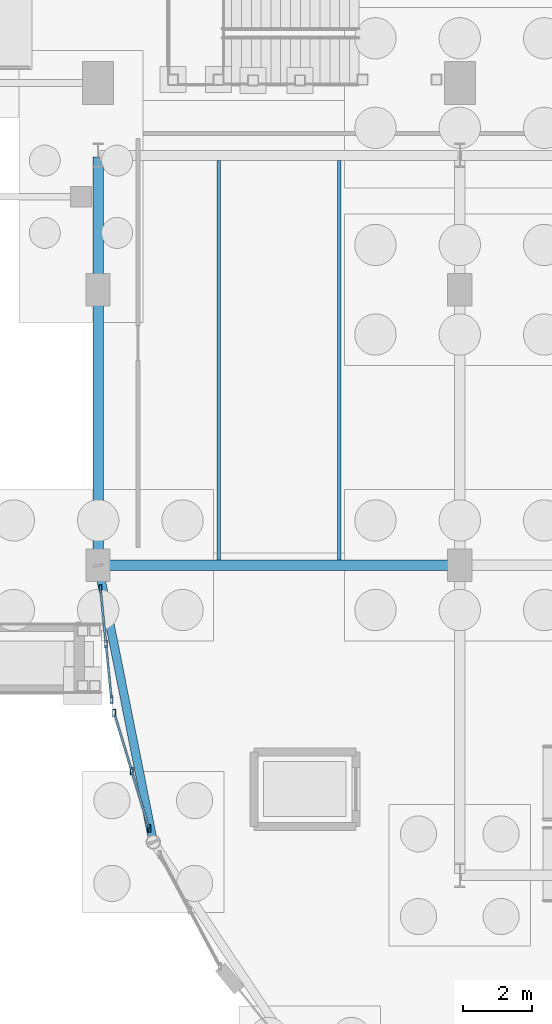
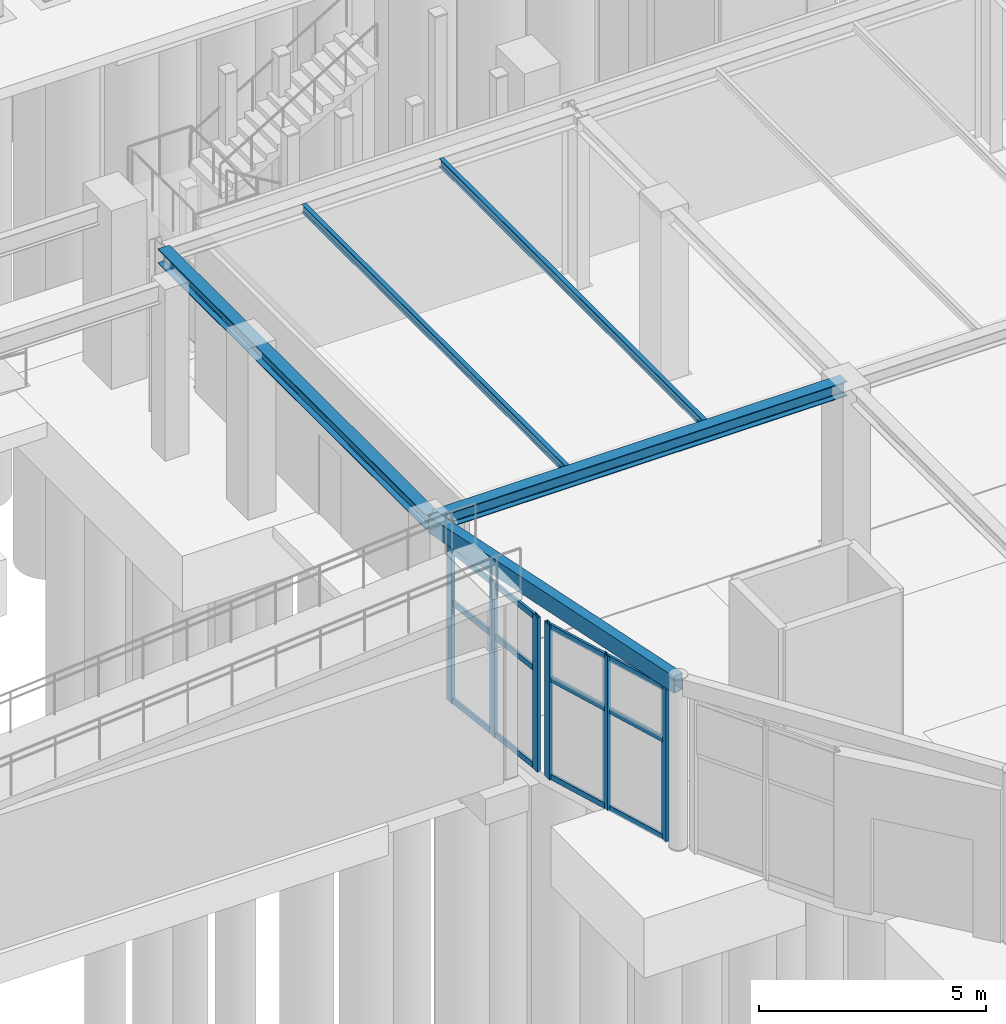
# One storey, part 65 of 160: 18 members, 5 beams, 2 elements without a shape of their own.
"""IFC4 building model written with IfcOpenShell, lengths in metres."""

from ifc_helpers import new_model, si_unit, direction, frame, origin, origin_2d, place, context, subcontext, project, spatial, hollow_rectangle, i_section, extrude, material, layer, layer_set, material_profile, profile_set, type_object, element, aggregate, save


model = new_model("IFC4")

# Units and contexts
model_context = context("Model", 3, precision=1e-05, world=origin(), true_north=direction((0.0, 1.0)))
body_context = subcontext(model_context, "Body", "Model", "MODEL_VIEW")
ifc_project = project(units=[si_unit("LENGTHUNIT", "METRE"), si_unit("AREAUNIT", "SQUARE_METRE"), si_unit("VOLUMEUNIT", "CUBIC_METRE"), si_unit("PLANEANGLEUNIT", "RADIAN"), si_unit("MASSUNIT", "GRAM", prefix="KILO")], contexts=[model_context])

# Site, building, storey
site_placement = place(None, origin())
site = spatial("IfcSite", under=ifc_project, at=site_placement, CompositionType="ELEMENT")
building_placement = place(site_placement, origin())
building = spatial("IfcBuilding", under=site, at=building_placement, Name="Marlcrest Central Station", CompositionType="ELEMENT")
storey_placement = place(building_placement, origin())
storey = spatial("IfcBuildingStorey", under=building, at=storey_placement, Name="L00", CompositionType="ELEMENT", Elevation=0.0)

# Beams
ifc_material_1 = material(Name="Steel S355", Category="steel")
ifc_material_profile_1 = material_profile(ifc_material_1, i_section(OverallWidth=0.300048828125, OverallDepth=0.389892578125, WebThickness=0.010986328125, FlangeThickness=0.01904296875, FilletRadius=0.027099609375, at=origin_2d()), Name="HEA 400")
ifc_profile_set_1 = profile_set([ifc_material_profile_1], Name="Steel S355")
beam_type_1 = type_object("IfcBeamType", Name="BM-08", PredefinedType="BEAM", material=ifc_profile_set_1)
beam_1_placement = place(storey_placement, frame((87.050048828125, 22.5, 4.409912109375), z_axis=(1.0, 0.0, 0.0), x_axis=(0.0, 1.0, 0.0)))
element("IfcBeam", 1, at=beam_1_placement, inside=storey, type_object=beam_type_1, Name="bm-BM-08-L00-01333", PredefinedType="BEAM", context=body_context, shape_type="SweptSolid", body=[
    extrude(i_section(OverallWidth=0.300048828125, OverallDepth=0.389892578125, WebThickness=0.010986328125, FlangeThickness=0.01904296875, FilletRadius=0.027099609375, at=origin_2d()), origin(), (0.0, 0.0, 1.0), 10.39990234375),
])
beam_2_placement = place(storey_placement, frame((87.0, 22.550048828125, 4.409912109375), z_axis=(0.0, 1.0, 0.0), x_axis=(-1.0, 0.0, 0.0)))
element("IfcBeam", 2, at=beam_2_placement, inside=storey, type_object=beam_type_1, Name="bm-BM-08-L00-01344", PredefinedType="BEAM", context=body_context, shape_type="SweptSolid", body=[
    extrude(i_section(OverallWidth=0.300048828125, OverallDepth=0.389892578125, WebThickness=0.010986328125, FlangeThickness=0.01904296875, FilletRadius=0.027099609375, at=origin_2d()), origin(), (0.0, 0.0, 1.0), 11.800048828125),
])
ifc_material_profile_2 = material_profile(ifc_material_1, i_section(OverallWidth=0.110107421875, OverallDepth=0.219970703125, WebThickness=0.005859375, FlangeThickness=0.00927734375, FilletRadius=0.011962890625, at=origin_2d()), Name="IPE 220")
ifc_profile_set_2 = profile_set([ifc_material_profile_2], Name="Steel S355")
beam_type_2 = type_object("IfcBeamType", Name="JS-02", PredefinedType="JOIST", material=ifc_profile_set_2)
for number, where, z_axis, x_axis, name in (
    (3, (90.5, 22.64794921875, 4.4951171875), (0.0, 1.0, 0.0), (-1.0, 0.0, 0.0), "bm-JS-02-L00-01349"),
    (4, (94.0, 22.64794921875, 4.4951171875), (0.0, 1.0, 0.0), (-1.0, 0.0, 0.0), "bm-JS-02-L00-01350"),
):
    element("IfcBeam", number, at=place(storey_placement, frame(where, z_axis=z_axis, x_axis=x_axis)), inside=storey, type_object=beam_type_2, Name=name, PredefinedType="JOIST", context=body_context, shape_type="SweptSolid", body=[
        extrude(i_section(OverallWidth=0.110107421875, OverallDepth=0.219970703125, WebThickness=0.005859375, FlangeThickness=0.00927734375, FilletRadius=0.011962890625, at=origin_2d()), origin(), (0.0, 0.0, 1.0), 11.60400390625),
    ])

# Curtain wall, members
ifc_material_2 = material(Name="Anodised aluminium and hurricane laminated glass", Category="aluminium")
ifc_layer = layer(ifc_material_2, 0.219970703125, Name="CW-U1")
ifc_layer_set = layer_set([ifc_layer], Name="Anodised aluminium and hurricane laminated glass")
curtain_wall_type = type_object("IfcCurtainWallType", Name="CW-U1", PredefinedType="USERDEFINED", material=ifc_layer_set)
curtain_wall_1_placement = place(storey_placement, origin())
curtain_wall_1 = element("IfcCurtainWall", 5, at=curtain_wall_1_placement, inside=storey, type_object=curtain_wall_type, Name="cw-L00-0001", ObjectType="UNITISED_CURTAIN_WALL", PredefinedType="USERDEFINED")
ifc_material_3 = material(Name="Anodised aluminium 6063-T6", Category="aluminium")
ifc_material_profile_3 = material_profile(ifc_material_3, hollow_rectangle(XDim=0.080078125, YDim=0.219970703125, WallThickness=0.006103515625, at=origin_2d()), Name="AA-RHS 220x80x6")
ifc_profile_set_3 = profile_set([ifc_material_profile_3], Name="Anodised aluminium 6063-T6")
member_type_1 = type_object("IfcMemberType", Name="ML-01", PredefinedType="MULLION", material=ifc_profile_set_3)
member_1_placement = place(storey_placement, frame((87.3837890625, 18.60791015625, -0.030029296875), z_axis=(0.0, 0.0, 1.0), x_axis=(1.0, 0.0, 0.0)))
member_1 = element("IfcMember", 6, at=member_1_placement, type_object=member_type_1, Name="cw-L00-0001-ml-0", PredefinedType="MULLION", context=body_context, shape_type="SweptSolid", body=[
    extrude(hollow_rectangle(XDim=0.080078125, YDim=0.219970703125, WallThickness=0.006103515625, at=origin_2d()), origin(), (0.0, 0.0, 1.0), 4.159912109375),
])
member_2_placement = place(storey_placement, frame((87.22509765625, 20.217529296875, -0.030029296875), z_axis=(0.0, 0.0, 1.0), x_axis=(1.0, 0.0, 0.0)))
member_2 = element("IfcMember", 7, at=member_2_placement, type_object=member_type_1, Name="cw-L00-0001-ml-1", PredefinedType="MULLION", context=body_context, shape_type="SweptSolid", body=[
    extrude(hollow_rectangle(XDim=0.080078125, YDim=0.219970703125, WallThickness=0.006103515625, at=origin_2d()), origin(), (0.0, 0.0, 1.0), 4.159912109375),
])
member_3_placement = place(storey_placement, frame((87.06640625, 21.827392578125, -0.030029296875), z_axis=(0.0, 0.0, 1.0), x_axis=(1.0, 0.0, 0.0)))
member_3 = element("IfcMember", 8, at=member_3_placement, type_object=member_type_1, Name="cw-L00-0001-ml-2", PredefinedType="MULLION", context=body_context, shape_type="SweptSolid", body=[
    extrude(hollow_rectangle(XDim=0.080078125, YDim=0.219970703125, WallThickness=0.006103515625, at=origin_2d()), origin(), (0.0, 0.0, 1.0), 4.159912109375),
])

curtain_wall_2_placement = place(storey_placement, origin())
curtain_wall_2 = element("IfcCurtainWall", 9, at=curtain_wall_2_placement, inside=storey, type_object=curtain_wall_type, Name="cw-L00-0002", ObjectType="UNITISED_CURTAIN_WALL", PredefinedType="USERDEFINED")
member_4_placement = place(storey_placement, frame((88.481689453125, 14.8505859375, -0.030029296875), z_axis=(0.0, 0.0, 1.0), x_axis=(1.0, 0.0, 0.0)))
member_4 = element("IfcMember", 10, at=member_4_placement, type_object=member_type_1, Name="cw-L00-0002-ml-0", PredefinedType="MULLION", context=body_context, shape_type="SweptSolid", body=[
    extrude(hollow_rectangle(XDim=0.080078125, YDim=0.219970703125, WallThickness=0.006103515625, at=origin_2d()), origin(), (0.0, 0.0, 1.0), 4.159912109375),
])
member_5_placement = place(storey_placement, frame((87.97265625, 16.5283203125, -0.030029296875), z_axis=(0.0, 0.0, 1.0), x_axis=(1.0, 0.0, 0.0)))
member_5 = element("IfcMember", 11, at=member_5_placement, type_object=member_type_1, Name="cw-L00-0002-ml-1", PredefinedType="MULLION", context=body_context, shape_type="SweptSolid", body=[
    extrude(hollow_rectangle(XDim=0.080078125, YDim=0.219970703125, WallThickness=0.006103515625, at=origin_2d()), origin(), (0.0, 0.0, 1.0), 4.159912109375),
])
member_6_placement = place(storey_placement, frame((87.463623046875, 18.2060546875, -0.030029296875), z_axis=(0.0, 0.0, 1.0), x_axis=(1.0, 0.0, 0.0)))
member_6 = element("IfcMember", 12, at=member_6_placement, type_object=member_type_1, Name="cw-L00-0002-ml-2", PredefinedType="MULLION", context=body_context, shape_type="SweptSolid", body=[
    extrude(hollow_rectangle(XDim=0.080078125, YDim=0.219970703125, WallThickness=0.006103515625, at=origin_2d()), origin(), (0.0, 0.0, 1.0), 4.159912109375),
])

# Beam
ifc_material_profile_4 = material_profile(ifc_material_1, hollow_rectangle(XDim=0.25, YDim=0.449951171875, WallThickness=0.01611328125, at=origin_2d()), Name="RHS 450x250x16")
ifc_profile_set_4 = profile_set([ifc_material_profile_4], Name="Steel S355")
beam_type_3 = type_object("IfcBeamType", Name="SP-02", PredefinedType="SPANDREL", material=ifc_profile_set_4)
beam_3_placement = place(storey_placement, frame((87.0, 22.5, 4.3798828125), z_axis=(0.19517056122, -0.980769316421, 0.0), x_axis=(0.980769316421, 0.19517056122, 0.0)))
element("IfcBeam", 13, at=beam_3_placement, inside=storey, type_object=beam_type_3, Name="bm-SP-02-L00-01323", PredefinedType="SPANDREL", context=body_context, shape_type="SweptSolid", body=[
    extrude(hollow_rectangle(XDim=0.25, YDim=0.449951171875, WallThickness=0.01611328125, at=origin_2d()), origin(), (0.0, 0.0, 1.0), 8.193359375),
])

# Member
ifc_material_profile_5 = material_profile(ifc_material_3, hollow_rectangle(XDim=0.06005859375, YDim=0.14990234375, WallThickness=0.00390625, at=origin_2d()), Name="AA-RHS 150x60x4")
ifc_profile_set_5 = profile_set([ifc_material_profile_5], Name="Anodised aluminium 6063-T6")
member_type_2 = type_object("IfcMemberType", Name="TR-01", PredefinedType="USERDEFINED", material=ifc_profile_set_5)
member_7_placement = place(storey_placement, frame((87.380126953125, 18.645751953125, 0.0400390625), z_axis=(-0.098202010308, 0.995166501231, 0.0), x_axis=(-0.995166501231, -0.098202010308, 0.0)))
member_7 = element("IfcMember", 14, at=member_7_placement, type_object=member_type_2, Name="cw-L00-0001-tr-0-sill", ObjectType="TRANSOM", PredefinedType="USERDEFINED", context=body_context, shape_type="SweptSolid", body=[
    extrude(hollow_rectangle(XDim=0.06005859375, YDim=0.14990234375, WallThickness=0.00390625, at=origin_2d()), origin(), (0.0, 0.0, 1.0), 1.54150390625),
])

member_8_placement = place(storey_placement, frame((87.380126953125, 18.645751953125, 2.6650390625), z_axis=(-0.098202010308, 0.995166501231, 0.0), x_axis=(-0.995166501231, -0.098202010308, 0.0)))
member_8 = element("IfcMember", 15, at=member_8_placement, type_object=member_type_2, Name="cw-L00-0001-tr-0-mid", ObjectType="TRANSOM", PredefinedType="USERDEFINED", context=body_context, shape_type="SweptSolid", body=[
    extrude(hollow_rectangle(XDim=0.06005859375, YDim=0.14990234375, WallThickness=0.00390625, at=origin_2d()), origin(), (0.0, 0.0, 1.0), 1.54150390625),
])

member_9_placement = place(storey_placement, frame((87.380126953125, 18.645751953125, 4.06005859375), z_axis=(-0.098202010308, 0.995166501231, 0.0), x_axis=(-0.995166501231, -0.098202010308, 0.0)))
member_9 = element("IfcMember", 16, at=member_9_placement, type_object=member_type_2, Name="cw-L00-0001-tr-0-head", ObjectType="TRANSOM", PredefinedType="USERDEFINED", context=body_context, shape_type="SweptSolid", body=[
    extrude(hollow_rectangle(XDim=0.06005859375, YDim=0.14990234375, WallThickness=0.00390625, at=origin_2d()), origin(), (0.0, 0.0, 1.0), 1.54150390625),
])

member_10_placement = place(storey_placement, frame((87.22119140625, 20.255615234375, 0.0400390625), z_axis=(-0.098045143769, 0.995181968176, 0.0), x_axis=(-0.995181968176, -0.098045143769, 0.0)))
member_10 = element("IfcMember", 17, at=member_10_placement, type_object=member_type_2, Name="cw-L00-0001-tr-1-sill", ObjectType="TRANSOM", PredefinedType="USERDEFINED", context=body_context, shape_type="SweptSolid", body=[
    extrude(hollow_rectangle(XDim=0.06005859375, YDim=0.14990234375, WallThickness=0.00390625, at=origin_2d()), origin(), (0.0, 0.0, 1.0), 1.541259765625),
])

member_11_placement = place(storey_placement, frame((87.22119140625, 20.255615234375, 2.6650390625), z_axis=(-0.098045143769, 0.995181968176, 0.0), x_axis=(-0.995181968176, -0.098045143769, 0.0)))
member_11 = element("IfcMember", 18, at=member_11_placement, type_object=member_type_2, Name="cw-L00-0001-tr-1-mid", ObjectType="TRANSOM", PredefinedType="USERDEFINED", context=body_context, shape_type="SweptSolid", body=[
    extrude(hollow_rectangle(XDim=0.06005859375, YDim=0.14990234375, WallThickness=0.00390625, at=origin_2d()), origin(), (0.0, 0.0, 1.0), 1.541259765625),
])

member_12_placement = place(storey_placement, frame((87.22119140625, 20.255615234375, 4.06005859375), z_axis=(-0.098045143769, 0.995181968176, 0.0), x_axis=(-0.995181968176, -0.098045143769, 0.0)))
member_12 = element("IfcMember", 19, at=member_12_placement, type_object=member_type_2, Name="cw-L00-0001-tr-1-head", ObjectType="TRANSOM", PredefinedType="USERDEFINED", context=body_context, shape_type="SweptSolid", body=[
    extrude(hollow_rectangle(XDim=0.06005859375, YDim=0.14990234375, WallThickness=0.00390625, at=origin_2d()), origin(), (0.0, 0.0, 1.0), 1.541259765625),
])

aggregate(curtain_wall_1, [member_1, member_2, member_3, member_7, member_8, member_9, member_10, member_11, member_12])

member_13_placement = place(storey_placement, frame((88.470703125, 14.886962890625, 0.0400390625), z_axis=(-0.29025787087, 0.95694846695, 0.0), x_axis=(-0.95694846695, -0.29025787087, 0.0)))
member_13 = element("IfcMember", 20, at=member_13_placement, type_object=member_type_2, Name="cw-L00-0002-tr-0-sill", ObjectType="TRANSOM", PredefinedType="USERDEFINED", context=body_context, shape_type="SweptSolid", body=[
    extrude(hollow_rectangle(XDim=0.06005859375, YDim=0.14990234375, WallThickness=0.00390625, at=origin_2d()), origin(), (0.0, 0.0, 1.0), 1.67724609375),
])

member_14_placement = place(storey_placement, frame((88.470703125, 14.886962890625, 2.6650390625), z_axis=(-0.29025787087, 0.95694846695, 0.0), x_axis=(-0.95694846695, -0.29025787087, 0.0)))
member_14 = element("IfcMember", 21, at=member_14_placement, type_object=member_type_2, Name="cw-L00-0002-tr-0-mid", ObjectType="TRANSOM", PredefinedType="USERDEFINED", context=body_context, shape_type="SweptSolid", body=[
    extrude(hollow_rectangle(XDim=0.06005859375, YDim=0.14990234375, WallThickness=0.00390625, at=origin_2d()), origin(), (0.0, 0.0, 1.0), 1.67724609375),
])

member_15_placement = place(storey_placement, frame((88.470703125, 14.886962890625, 4.06005859375), z_axis=(-0.29025787087, 0.95694846695, 0.0), x_axis=(-0.95694846695, -0.29025787087, 0.0)))
member_15 = element("IfcMember", 22, at=member_15_placement, type_object=member_type_2, Name="cw-L00-0002-tr-0-head", ObjectType="TRANSOM", PredefinedType="USERDEFINED", context=body_context, shape_type="SweptSolid", body=[
    extrude(hollow_rectangle(XDim=0.06005859375, YDim=0.14990234375, WallThickness=0.00390625, at=origin_2d()), origin(), (0.0, 0.0, 1.0), 1.67724609375),
])

member_16_placement = place(storey_placement, frame((87.961669921875, 16.564697265625, 0.0400390625), z_axis=(-0.29025787087, 0.95694846695, 0.0), x_axis=(-0.95694846695, -0.29025787087, 0.0)))
member_16 = element("IfcMember", 23, at=member_16_placement, type_object=member_type_2, Name="cw-L00-0002-tr-1-sill", ObjectType="TRANSOM", PredefinedType="USERDEFINED", context=body_context, shape_type="SweptSolid", body=[
    extrude(hollow_rectangle(XDim=0.06005859375, YDim=0.14990234375, WallThickness=0.00390625, at=origin_2d()), origin(), (0.0, 0.0, 1.0), 1.67724609375),
])

member_17_placement = place(storey_placement, frame((87.961669921875, 16.564697265625, 2.6650390625), z_axis=(-0.29025787087, 0.95694846695, 0.0), x_axis=(-0.95694846695, -0.29025787087, 0.0)))
member_17 = element("IfcMember", 24, at=member_17_placement, type_object=member_type_2, Name="cw-L00-0002-tr-1-mid", ObjectType="TRANSOM", PredefinedType="USERDEFINED", context=body_context, shape_type="SweptSolid", body=[
    extrude(hollow_rectangle(XDim=0.06005859375, YDim=0.14990234375, WallThickness=0.00390625, at=origin_2d()), origin(), (0.0, 0.0, 1.0), 1.67724609375),
])

member_18_placement = place(storey_placement, frame((87.961669921875, 16.564697265625, 4.06005859375), z_axis=(-0.29025787087, 0.95694846695, 0.0), x_axis=(-0.95694846695, -0.29025787087, 0.0)))
member_18 = element("IfcMember", 25, at=member_18_placement, type_object=member_type_2, Name="cw-L00-0002-tr-1-head", ObjectType="TRANSOM", PredefinedType="USERDEFINED", context=body_context, shape_type="SweptSolid", body=[
    extrude(hollow_rectangle(XDim=0.06005859375, YDim=0.14990234375, WallThickness=0.00390625, at=origin_2d()), origin(), (0.0, 0.0, 1.0), 1.67724609375),
])

aggregate(curtain_wall_2, [member_4, member_5, member_6, member_13, member_14, member_15, member_16, member_17, member_18])

save(model, "model.ifc")
